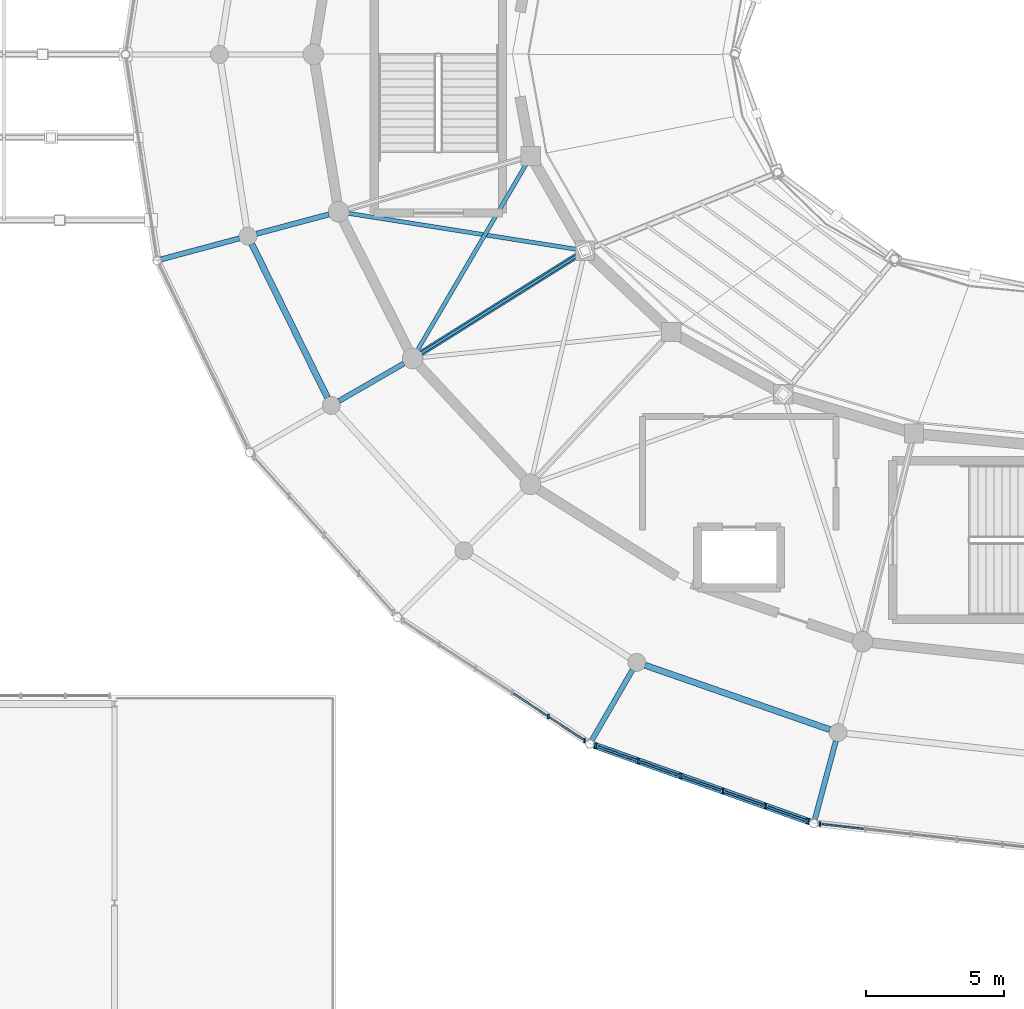
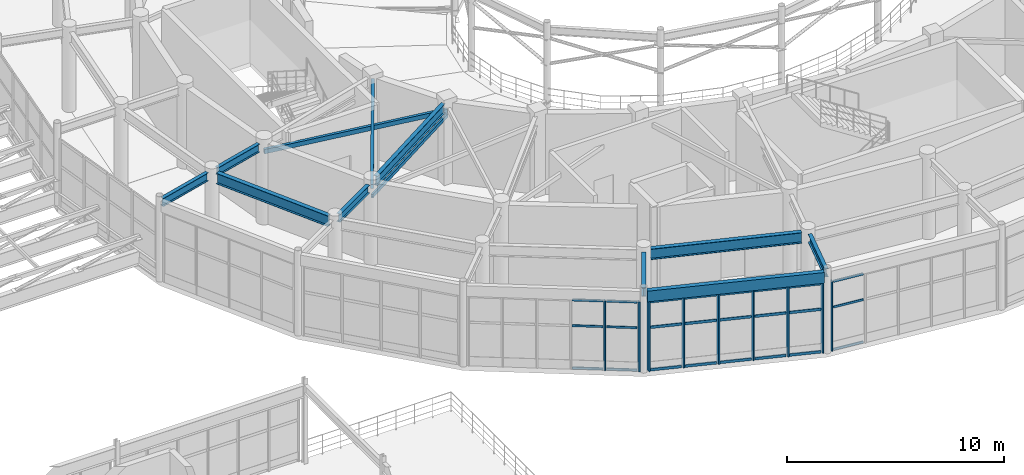
# One storey, part 35 of 144: 36 members, 9 beams, 3 elements without a shape of their own.
"""IFC4 building model written with IfcOpenShell, lengths in metres."""

import ifcopenshell
import ifcopenshell.guid

model = None  # the IFC model being written
_history = None  # IfcOwnerHistory: only IFC2X3 demands one
_inside = {}  # id of a spatial element -> (the spatial element, [elements in it])
_under = {}  # id of a project, library or spatial element -> (it, [spatial elements below it])
_declared = {}  # id of a project -> (the project, [libraries it declares])
_typed = {}  # id of a type object -> (the type object, [elements of that type])
_made_of = {}  # id of a material, layer set ... -> (it, [elements and type objects made of it])


def new_model(schema):
    """Start an empty IFC model of exactly this schema.

    Asked for "IFC4X3", IfcOpenShell would pick the latest addendum, in which some entities
    have other attributes; the version numbers below select the first issue.
    IFC2X3 requires an IfcOwnerHistory on every rooted entity: one is made here for all.
    """
    global model, _history
    if schema == "IFC4X3":
        model = ifcopenshell.file(schema_version=(4, 3, 0, 0))
    else:
        model = ifcopenshell.file(schema=schema)
    _inside.clear()
    _under.clear()
    _declared.clear()
    _typed.clear()
    _made_of.clear()
    _history = None
    if model.schema == "IFC2X3":
        org = make("IfcOrganization", Name="unknown")
        user = make(
            "IfcPersonAndOrganization",
            ThePerson=make("IfcPerson", FamilyName="unknown"),
            TheOrganization=org,
        )
        app = make(
            "IfcApplication",
            ApplicationDeveloper=org,
            Version="unknown",
            ApplicationFullName="unknown",
            ApplicationIdentifier="unknown",
        )
        _history = make(
            "IfcOwnerHistory",
            OwningUser=user,
            OwningApplication=app,
            ChangeAction="ADDED",
            CreationDate=0,
        )
    return model


def make(cls, **values):
    """One entity of the class cls with the attributes given. An attribute that is None is left unset."""
    return model.create_entity(
        cls, **{name: value for name, value in values.items() if value is not None}
    )


def rooted(cls, **values):
    """An entity with a GlobalId (a new one), such as an element, a storey or a relation."""
    return make(cls, GlobalId=ifcopenshell.guid.new(), OwnerHistory=_history, **values)


def si_unit(unit_type, name, prefix=None):
    """IfcSIUnit, for example si_unit("LENGTHUNIT", "METRE", prefix="MILLI")."""
    return make("IfcSIUnit", UnitType=unit_type, Prefix=prefix, Name=name)


def assignment(units):
    """IfcUnitAssignment: the units of a project."""
    return None if units is None else make("IfcUnitAssignment", Units=units)


def point(xyz):
    """IfcCartesianPoint."""
    return None if xyz is None else make("IfcCartesianPoint", Coordinates=xyz)


def direction(xyz):
    """IfcDirection."""
    return None if xyz is None else make("IfcDirection", DirectionRatios=xyz)


def frame(location, z_axis=None, x_axis=None):
    """IfcAxis2Placement3D, a coordinate frame: its origin and axes. An axis left out is left unset."""
    return make(
        "IfcAxis2Placement3D",
        Location=point(location),
        Axis=direction(z_axis),
        RefDirection=direction(x_axis),
    )


def frame_2d(location, x_axis=None):
    """IfcAxis2Placement2D, a coordinate frame in the plane: its origin and x axis."""
    return make(
        "IfcAxis2Placement2D", Location=point(location), RefDirection=direction(x_axis)
    )


def origin():
    """The frame at (0, 0, 0) with its axes left unset."""
    return frame((0.0, 0.0, 0.0))


def origin_2d():
    """The frame at (0, 0) in the plane with its x axis left unset."""
    return frame_2d((0.0, 0.0))


def place(relative_to, where):
    """IfcLocalPlacement: puts the frame where relative to a parent placement (None: the world)."""
    return make(
        "IfcLocalPlacement", PlacementRelTo=relative_to, RelativePlacement=where
    )


def context(
    kind, dimensions, precision=None, world=None, true_north=None, identifier=None
):
    """IfcGeometricRepresentationContext, for example the 3D "Model" context."""
    return make(
        "IfcGeometricRepresentationContext",
        ContextIdentifier=identifier,
        ContextType=kind,
        CoordinateSpaceDimension=dimensions,
        Precision=precision,
        WorldCoordinateSystem=world,
        TrueNorth=true_north,
    )


def subcontext(parent, identifier, kind, view, scale=None):
    """IfcGeometricRepresentationSubContext, for example "Body" below "Model"."""
    return make(
        "IfcGeometricRepresentationSubContext",
        ContextIdentifier=identifier,
        ContextType=kind,
        ParentContext=parent,
        TargetScale=scale,
        TargetView=view,
    )


def project(units=None, contexts=None):
    """IfcProject with its units and contexts."""
    return rooted(
        "IfcProject",
        Name="project",
        RepresentationContexts=contexts,
        UnitsInContext=assignment(units),
    )


def spatial(cls, under=None, at=None, **own):
    """A site, building, storey or space (cls), placed at a placement, below another one or the project."""
    s = rooted(cls, ObjectPlacement=at, **own)
    if under is not None:
        _under.setdefault(under.id(), (under, []))[1].append(s)
    return s


def profile(cls, at=None, kind="AREA", **sizes):
    """A parametric profile (cls). Its sizes go by their IFC names, for example OverallWidth=200.0."""
    return make(cls, ProfileType=kind, Position=at, **sizes)


def rectangle(**sizes):
    """IfcRectangleProfileDef."""
    return profile("IfcRectangleProfileDef", **sizes)


def hollow_rectangle(**sizes):
    """IfcRectangleHollowProfileDef."""
    return profile("IfcRectangleHollowProfileDef", **sizes)


def i_section(**sizes):
    """IfcIShapeProfileDef."""
    return profile("IfcIShapeProfileDef", **sizes)


def extrude(swept, where, along, depth):
    """IfcExtrudedAreaSolid: the profile swept, set in the frame where, extruded along a direction by depth."""
    return make(
        "IfcExtrudedAreaSolid",
        SweptArea=swept,
        Position=where,
        ExtrudedDirection=direction(along),
        Depth=depth,
    )


def shape(context_of_items, identifier, shape_type, items):
    """IfcShapeRepresentation: the items that make up one representation, for example the "Body"."""
    return make(
        "IfcShapeRepresentation",
        ContextOfItems=context_of_items,
        RepresentationIdentifier=identifier,
        RepresentationType=shape_type,
        Items=items,
    )


def material(Name=None, Category=None):
    """IfcMaterial."""
    return make("IfcMaterial", Name=Name, Category=Category)


def material_profile(
    of_material, cross_section, Name=None, Category=None, Priority=None
):
    """IfcMaterialProfile: a cross section and its material."""
    return make(
        "IfcMaterialProfile",
        Name=Name,
        Material=of_material,
        Profile=cross_section,
        Priority=Priority,
        Category=Category,
    )


def profile_set(profiles, Name=None, composite=None):
    """IfcMaterialProfileSet."""
    return make(
        "IfcMaterialProfileSet",
        Name=Name,
        MaterialProfiles=profiles,
        CompositeProfile=composite,
    )


def made_of(thing, what):
    """Note that an element or type object is made of a material, layer set ...; save() writes the relation."""
    if what is not None:
        _made_of.setdefault(what.id(), (what, []))[1].append(thing)
    return thing


def type_object(cls, material=None, **own):
    """A type object (cls), such as IfcWallType, which elements share."""
    return made_of(rooted(cls, **own), material)


def element(
    cls,
    number,
    at=None,
    inside=None,
    cuts=None,
    type_object=None,
    material=None,
    context=None,
    identifier="Body",
    shape_type=None,
    held_by="IfcProductDefinitionShape",
    body=None,
    shapes=None,
    **own,
):
    """One element of the class cls, such as IfcWall. Its Tag is "e" and its number.

    at: its placement. inside: the storey or other place that contains it. cuts: it is an
    opening in that element (IfcRelVoidsElement). A single representation is given by context,
    identifier, shape_type and body (its items); several are given by shapes. held_by: the class
    of the entity that holds the representations. save() writes the other relations.
    """
    e = rooted(cls, Tag="e%d" % number, ObjectPlacement=at, **own)
    if body is not None:
        shapes = [shape(context, identifier, shape_type, body)]
    if shapes is not None:
        e.Representation = make(held_by, Representations=shapes)
    if inside is not None:
        _inside.setdefault(inside.id(), (inside, []))[1].append(e)
    if cuts is not None:
        rooted(
            "IfcRelVoidsElement", RelatingBuildingElement=cuts, RelatedOpeningElement=e
        )
    if type_object is not None:
        _typed.setdefault(type_object.id(), (type_object, []))[1].append(e)
    return made_of(e, material)


def aggregate(whole, parts):
    """IfcRelAggregates: a whole, such as a stair, and the parts it consists of."""
    return rooted("IfcRelAggregates", RelatingObject=whole, RelatedObjects=parts)


def save(model, path):
    """Write the relations noted so far, then the file.

    IfcRelAggregates (storeys below a building ...), IfcRelContainedInSpatialStructure (elements
    in a storey), IfcRelDefinesByType, IfcRelAssociatesMaterial and IfcRelDeclares: one each for
    every whole, place, type object, material and project.
    """
    for whole, parts in _under.values():
        aggregate(whole, parts)
    for where, things in _inside.values():
        rooted(
            "IfcRelContainedInSpatialStructure",
            RelatedElements=things,
            RelatingStructure=where,
        )
    for kind, things in _typed.values():
        rooted("IfcRelDefinesByType", RelatedObjects=things, RelatingType=kind)
    for what, things in _made_of.values():
        rooted("IfcRelAssociatesMaterial", RelatedObjects=things, RelatingMaterial=what)
    for by, libraries in _declared.values():
        rooted("IfcRelDeclares", RelatingContext=by, RelatedDefinitions=libraries)
    model.write(path)


model = new_model("IFC4")

# Units and contexts
model_context = context("Model", 3, precision=1e-05, world=origin(), true_north=direction((0.0, 1.0)))
body_context = subcontext(model_context, "Body", "Model", "MODEL_VIEW")
ifc_project = project(units=[si_unit("LENGTHUNIT", "METRE"), si_unit("AREAUNIT", "SQUARE_METRE"), si_unit("VOLUMEUNIT", "CUBIC_METRE"), si_unit("PLANEANGLEUNIT", "RADIAN"), si_unit("MASSUNIT", "GRAM", prefix="KILO")], contexts=[model_context])

# Site, building, storey
site_placement = place(None, origin())
site = spatial("IfcSite", under=ifc_project, at=site_placement, CompositionType="ELEMENT")
building_placement = place(site_placement, origin())
building = spatial("IfcBuilding", under=site, at=building_placement, Name="Cinderbank Siding Concert Hall", CompositionType="ELEMENT")
storey_placement = place(building_placement, frame((0.0, 0.0, 5.39990234375)))
storey = spatial("IfcBuildingStorey", under=building, at=storey_placement, Name="L02", CompositionType="ELEMENT", Elevation=5.39990234375)

# Beams
ifc_material_1 = material(Name="Structural steel AS/NZS 3679.1 Grade 350 (340 MPa)", Category="steel")
ifc_material_profile_1 = material_profile(ifc_material_1, i_section(OverallWidth=0.19091796875, OverallDepth=0.46044921875, WebThickness=0.010009765625, FlangeThickness=0.01611328125, at=origin_2d()), Name="460UB82.1", Category="LoadBearing")
ifc_profile_set_1 = profile_set([ifc_material_profile_1], Name="Structural steel AS/NZS 3679.1 Grade 350 (340 MPa)")
beam_type_1 = type_object("IfcBeamType", Name="BM-UB460H 460UB82.1", PredefinedType="BEAM", material=ifc_profile_set_1)
beam_1_placement = place(storey_placement, frame((95.7587890625, 38.2109375, 4.2919921875), z_axis=(-0.965934410535, -0.258787006135, 0.0), x_axis=(0.258787006135, -0.965934410535, 0.0)))
element("IfcBeam", 1, at=beam_1_placement, inside=storey, type_object=beam_type_1, Name="L02 Beam BM-UB460H #510", PredefinedType="BEAM", context=body_context, shape_type="SweptSolid", body=[
    extrude(i_section(OverallWidth=0.19091796875, OverallDepth=0.46044921875, WebThickness=0.010009765625, FlangeThickness=0.01611328125, at=origin_2d()), origin(), (0.0, 0.0, 1.0), 2.716064453125),
])
beam_2_placement = place(storey_placement, frame((98.47265625, 32.81640625, 4.2919921875), z_axis=(-0.866032896488, -0.499987022033, 0.0), x_axis=(0.499987022033, -0.866032896488, 0.0)))
element("IfcBeam", 2, at=beam_2_placement, inside=storey, type_object=beam_type_1, Name="L02 Beam BM-UB460H #511", PredefinedType="BEAM", context=body_context, shape_type="SweptSolid", body=[
    extrude(i_section(OverallWidth=0.19091796875, OverallDepth=0.46044921875, WebThickness=0.010009765625, FlangeThickness=0.01611328125, at=origin_2d()), origin(), (0.0, 0.0, 1.0), 2.7158203125),
])
for number, where, z_axis, x_axis, name in (
    (3, (92.522705078125, 37.343994140625, 4.331787109375), (-0.965904885504, -0.258897184534, 0.0), (0.258897184534, -0.965904885504, 0.0), "L02 Beam BM-UB460H #534"),
    (4, (106.741455078125, 21.728515625, 4.331787109375), (-0.499958157915, -0.866049559976, 0.0), (0.866049559976, -0.499958157915, 0.0), "L02 Beam BM-UB460H #537"),
    (5, (114.101806640625, 19.1591796875, 4.331787109375), (-0.258897184534, -0.965904885504, 0.0), (0.965904885504, -0.258897184534, 0.0), "L02 Beam BM-UB460H #538"),
):
    element("IfcBeam", number, at=place(storey_placement, frame(where, z_axis=z_axis, x_axis=x_axis)), inside=storey, type_object=beam_type_1, Name=name, PredefinedType="BEAM", context=body_context, shape_type="SweptSolid", body=[
        extrude(i_section(OverallWidth=0.19091796875, OverallDepth=0.46044921875, WebThickness=0.010009765625, FlangeThickness=0.01611328125, at=origin_2d()), origin(), (0.0, 0.0, 1.0), 2.928955078125),
    ])
ifc_material_profile_2 = material_profile(ifc_material_1, i_section(OverallWidth=0.208984375, OverallDepth=0.532958984375, WebThickness=0.01025390625, FlangeThickness=0.015625, at=origin_2d()), Name="530UB92.4", Category="LoadBearing")
ifc_profile_set_2 = profile_set([ifc_material_profile_2], Name="Structural steel AS/NZS 3679.1 Grade 350 (340 MPa)")
beam_type_2 = type_object("IfcBeamType", Name="BM-UB530H 530UB92.4", PredefinedType="BEAM", material=ifc_profile_set_2)
beam_3_placement = place(storey_placement, frame((104.73583984375, 36.718505859375, 4.28564453125), z_axis=(-0.84781868984, -0.530286214376, 0.0), x_axis=(0.530286214376, -0.84781868984, 0.0)))
element("IfcBeam", 6, at=beam_3_placement, inside=storey, type_object=beam_type_2, Name="L02 Beam BM-UB530H #491", PredefinedType="BEAM", context=body_context, shape_type="SweptSolid", body=[
    extrude(i_section(OverallWidth=0.208984375, OverallDepth=0.532958984375, WebThickness=0.01025390625, FlangeThickness=0.015625, at=origin_2d()), origin(), (0.0, 0.0, 1.0), 6.645263671875),
])
ifc_material_profile_3 = material_profile(ifc_material_1, i_section(OverallWidth=0.22802734375, OverallDepth=0.60693359375, WebThickness=0.01123046875, FlangeThickness=0.017333984375, at=origin_2d()), Name="610UB113", Category="LoadBearing")
ifc_profile_set_3 = profile_set([ifc_material_profile_3], Name="Structural steel AS/NZS 3679.1 Grade 350 (340 MPa)")
beam_type_3 = type_object("IfcBeamType", Name="BM-UB610M 610UB113", PredefinedType="BEAM", material=ifc_profile_set_3)
beam_4_placement = place(storey_placement, frame((92.968994140625, 37.1416015625, 4.218505859375), z_axis=(0.441813843649, -0.897106753714, 0.0), x_axis=(0.897106753714, 0.441813843649, 0.0)))
element("IfcBeam", 7, at=beam_4_placement, inside=storey, type_object=beam_type_3, Name="L02 Beam BM-UB610M #453", PredefinedType="BEAM", context=body_context, shape_type="SweptSolid", body=[
    extrude(i_section(OverallWidth=0.22802734375, OverallDepth=0.60693359375, WebThickness=0.01123046875, FlangeThickness=0.017333984375, at=origin_2d()), origin(), (0.0, 0.0, 1.0), 6.194580078125),
])
beam_5_placement = place(storey_placement, frame((107.199462890625, 21.898681640625, 4.218505859375), z_axis=(0.944334299593, -0.328987432301, 0.0), x_axis=(0.328987432301, 0.944334299593, 0.0)))
element("IfcBeam", 8, at=beam_5_placement, inside=storey, type_object=beam_type_3, Name="L02 Beam BM-UB610M #456", PredefinedType="BEAM", context=body_context, shape_type="SweptSolid", body=[
    extrude(i_section(OverallWidth=0.22802734375, OverallDepth=0.60693359375, WebThickness=0.01123046875, FlangeThickness=0.017333984375, at=origin_2d()), origin(), (0.0, 0.0, 1.0), 7.078857421875),
])

# Curtain wall, members
ifc_material_2 = material(Name="Anodised aluminium alloy 6063-T6", Category="aluminium")
curtain_wall_type_1 = type_object("IfcCurtainWallType", Name="CW-04 Unitised Acoustic Curtain Wall 7000x4400", PredefinedType="NOTDEFINED", material=ifc_material_2)
curtain_wall_1_placement = place(storey_placement, origin())
curtain_wall_1 = element("IfcCurtainWall", 9, at=curtain_wall_1_placement, inside=storey, type_object=curtain_wall_type_1, Name="L02 Curtain Wall CW-04 #16", PredefinedType="NOTDEFINED")
ifc_material_profile_4 = material_profile(ifc_material_2, rectangle(XDim=0.06005859375, YDim=0.159912109375, at=origin_2d()), Name="ALU-MULL-60x160", Category="LoadBearing")
ifc_profile_set_4 = profile_set([ifc_material_profile_4], Name="Anodised aluminium alloy 6063-T6")
member_type_1 = type_object("IfcMemberType", Name="CW-ML1 Mullion 60x160", PredefinedType="MULLION", material=ifc_profile_set_4)
member_1_placement = place(storey_placement, frame((103.694580078125, 20.048583984375, 0.0), z_axis=(0.0, 0.0, 1.0), x_axis=(1.0, 0.0, 0.0)))
member_1 = element("IfcMember", 10, at=member_1_placement, type_object=member_type_1, Name="CW-L02-016 Mullion 4", PredefinedType="MULLION", context=body_context, shape_type="SweptSolid", body=[
    extrude(rectangle(XDim=0.06005859375, YDim=0.159912109375, at=origin_2d()), origin(), (0.0, 0.0, 1.0), 3.947021484375),
])
member_2_placement = place(storey_placement, frame((105.010498046875, 19.18310546875, 0.0), z_axis=(0.0, 0.0, 1.0), x_axis=(1.0, 0.0, 0.0)))
member_2 = element("IfcMember", 11, at=member_2_placement, type_object=member_type_1, Name="CW-L02-016 Mullion 5", PredefinedType="MULLION", context=body_context, shape_type="SweptSolid", body=[
    extrude(rectangle(XDim=0.06005859375, YDim=0.159912109375, at=origin_2d()), origin(), (0.0, 0.0, 1.0), 3.947021484375),
])

# Curtain wall, member
curtain_wall_type_2 = type_object("IfcCurtainWallType", Name="CW-06 Unitised Acoustic Curtain Wall 7600x3800", PredefinedType="NOTDEFINED", material=ifc_material_2)
curtain_wall_2_placement = place(storey_placement, origin())
curtain_wall_2 = element("IfcCurtainWall", 12, at=curtain_wall_2_placement, inside=storey, type_object=curtain_wall_type_2, Name="L02 Curtain Wall CW-06 #18", PredefinedType="NOTDEFINED")
member_3_placement = place(storey_placement, frame((113.529296875, 16.156005859375, 0.0), z_axis=(0.0, 0.0, 1.0), x_axis=(1.0, 0.0, 0.0)))
member_3 = element("IfcMember", 13, at=member_3_placement, type_object=member_type_1, Name="CW-L02-018 Mullion 0", PredefinedType="MULLION", context=body_context, shape_type="SweptSolid", body=[
    extrude(rectangle(XDim=0.06005859375, YDim=0.159912109375, at=origin_2d()), origin(), (0.0, 0.0, 1.0), 3.947021484375),
])

# Curtain wall, members
curtain_wall_type_3 = type_object("IfcCurtainWallType", Name="CW-05 Unitised Acoustic Curtain Wall 8200x3800", PredefinedType="NOTDEFINED", material=ifc_material_2)
curtain_wall_3_placement = place(storey_placement, origin())
curtain_wall_3 = element("IfcCurtainWall", 14, at=curtain_wall_3_placement, inside=storey, type_object=curtain_wall_type_3, Name="L02 Curtain Wall CW-05 #17", PredefinedType="NOTDEFINED")
ifc_material_profile_5 = material_profile(ifc_material_2, rectangle(XDim=0.06494140625, YDim=0.199951171875, at=origin_2d()), Name="ALU-MULL-65x200", Category="LoadBearing")
ifc_profile_set_5 = profile_set([ifc_material_profile_5], Name="Anodised aluminium alloy 6063-T6")
member_type_2 = type_object("IfcMemberType", Name="CW-ML2 Mullion 65x200", PredefinedType="MULLION", material=ifc_profile_set_5)
member_4_placement = place(storey_placement, frame((105.413818359375, 18.982666015625, 0.0), z_axis=(0.0, 0.0, 1.0), x_axis=(1.0, 0.0, 0.0)))
member_4 = element("IfcMember", 15, at=member_4_placement, type_object=member_type_2, Name="CW-L02-017 Mullion 0", PredefinedType="MULLION", context=body_context, shape_type="SweptSolid", body=[
    extrude(rectangle(XDim=0.06494140625, YDim=0.199951171875, at=origin_2d()), origin(), (0.0, 0.0, 1.0), 3.947021484375),
])
member_5_placement = place(storey_placement, frame((106.94921875, 18.4375, 0.0), z_axis=(0.0, 0.0, 1.0), x_axis=(1.0, 0.0, 0.0)))
member_5 = element("IfcMember", 16, at=member_5_placement, type_object=member_type_2, Name="CW-L02-017 Mullion 1", PredefinedType="MULLION", context=body_context, shape_type="SweptSolid", body=[
    extrude(rectangle(XDim=0.06494140625, YDim=0.199951171875, at=origin_2d()), origin(), (0.0, 0.0, 1.0), 3.947021484375),
])
member_6_placement = place(storey_placement, frame((108.484375, 17.892333984375, 0.0), z_axis=(0.0, 0.0, 1.0), x_axis=(1.0, 0.0, 0.0)))
member_6 = element("IfcMember", 17, at=member_6_placement, type_object=member_type_2, Name="CW-L02-017 Mullion 2", PredefinedType="MULLION", context=body_context, shape_type="SweptSolid", body=[
    extrude(rectangle(XDim=0.06494140625, YDim=0.199951171875, at=origin_2d()), origin(), (0.0, 0.0, 1.0), 3.947021484375),
])
member_7_placement = place(storey_placement, frame((110.019287109375, 17.347412109375, 0.0), z_axis=(0.0, 0.0, 1.0), x_axis=(1.0, 0.0, 0.0)))
member_7 = element("IfcMember", 18, at=member_7_placement, type_object=member_type_2, Name="CW-L02-017 Mullion 3", PredefinedType="MULLION", context=body_context, shape_type="SweptSolid", body=[
    extrude(rectangle(XDim=0.06494140625, YDim=0.199951171875, at=origin_2d()), origin(), (0.0, 0.0, 1.0), 3.947021484375),
])
member_8_placement = place(storey_placement, frame((111.5546875, 16.80224609375, 0.0), z_axis=(0.0, 0.0, 1.0), x_axis=(1.0, 0.0, 0.0)))
member_8 = element("IfcMember", 19, at=member_8_placement, type_object=member_type_2, Name="CW-L02-017 Mullion 4", PredefinedType="MULLION", context=body_context, shape_type="SweptSolid", body=[
    extrude(rectangle(XDim=0.06494140625, YDim=0.199951171875, at=origin_2d()), origin(), (0.0, 0.0, 1.0), 3.947021484375),
])
member_9_placement = place(storey_placement, frame((113.08984375, 16.257080078125, 0.0), z_axis=(0.0, 0.0, 1.0), x_axis=(1.0, 0.0, 0.0)))
member_9 = element("IfcMember", 20, at=member_9_placement, type_object=member_type_2, Name="CW-L02-017 Mullion 5", PredefinedType="MULLION", context=body_context, shape_type="SweptSolid", body=[
    extrude(rectangle(XDim=0.06494140625, YDim=0.199951171875, at=origin_2d()), origin(), (0.0, 0.0, 1.0), 3.947021484375),
])

# Member
ifc_material_profile_6 = material_profile(ifc_material_2, rectangle(XDim=0.06005859375, YDim=0.1201171875, at=origin_2d()), Name="ALU-TRAN-60x120", Category="LoadBearing")
ifc_profile_set_6 = profile_set([ifc_material_profile_6], Name="Anodised aluminium alloy 6063-T6")
member_type_3 = type_object("IfcMemberType", Name="CW-TR1 Transom 60x120", PredefinedType="USERDEFINED", material=ifc_profile_set_6)
member_10_placement = place(storey_placement, frame((102.4443359375, 20.870849609375, 0.06005859375), z_axis=(0.835531529407, -0.549442502331, 0.0), x_axis=(0.549442502331, 0.835531529407, 0.0)))
member_10 = element("IfcMember", 21, at=member_10_placement, type_object=member_type_3, Name="CW-L02-016 Transom 3-0", ObjectType="TRANSOM", PredefinedType="USERDEFINED", context=body_context, shape_type="SweptSolid", body=[
    extrude(rectangle(XDim=0.06005859375, YDim=0.1201171875, at=origin_2d()), origin(), (0.0, 0.0, 1.0), 1.41748046875),
])

member_11_placement = place(storey_placement, frame((102.4443359375, 20.870849609375, 2.447265625), z_axis=(0.835531529407, -0.549442502331, 0.0), x_axis=(0.549442502331, 0.835531529407, 0.0)))
member_11 = element("IfcMember", 22, at=member_11_placement, type_object=member_type_3, Name="CW-L02-016 Transom 3-1", ObjectType="TRANSOM", PredefinedType="USERDEFINED", context=body_context, shape_type="SweptSolid", body=[
    extrude(rectangle(XDim=0.06005859375, YDim=0.1201171875, at=origin_2d()), origin(), (0.0, 0.0, 1.0), 1.41748046875),
])

member_12_placement = place(storey_placement, frame((102.4443359375, 20.870849609375, 3.88720703125), z_axis=(0.835531529407, -0.549442502331, 0.0), x_axis=(0.549442502331, 0.835531529407, 0.0)))
member_12 = element("IfcMember", 23, at=member_12_placement, type_object=member_type_3, Name="CW-L02-016 Transom 3-2", ObjectType="TRANSOM", PredefinedType="USERDEFINED", context=body_context, shape_type="SweptSolid", body=[
    extrude(rectangle(XDim=0.06005859375, YDim=0.1201171875, at=origin_2d()), origin(), (0.0, 0.0, 1.0), 1.41748046875),
])

member_13_placement = place(storey_placement, frame((103.76025390625, 20.00537109375, 0.06005859375), z_axis=(0.835531529407, -0.549442502331, 0.0), x_axis=(0.549442502331, 0.835531529407, 0.0)))
member_13 = element("IfcMember", 24, at=member_13_placement, type_object=member_type_3, Name="CW-L02-016 Transom 4-0", ObjectType="TRANSOM", PredefinedType="USERDEFINED", context=body_context, shape_type="SweptSolid", body=[
    extrude(rectangle(XDim=0.06005859375, YDim=0.1201171875, at=origin_2d()), origin(), (0.0, 0.0, 1.0), 1.41748046875),
])

member_14_placement = place(storey_placement, frame((103.76025390625, 20.00537109375, 2.447265625), z_axis=(0.835531529407, -0.549442502331, 0.0), x_axis=(0.549442502331, 0.835531529407, 0.0)))
member_14 = element("IfcMember", 25, at=member_14_placement, type_object=member_type_3, Name="CW-L02-016 Transom 4-1", ObjectType="TRANSOM", PredefinedType="USERDEFINED", context=body_context, shape_type="SweptSolid", body=[
    extrude(rectangle(XDim=0.06005859375, YDim=0.1201171875, at=origin_2d()), origin(), (0.0, 0.0, 1.0), 1.41748046875),
])

member_15_placement = place(storey_placement, frame((103.76025390625, 20.00537109375, 3.88720703125), z_axis=(0.835531529407, -0.549442502331, 0.0), x_axis=(0.549442502331, 0.835531529407, 0.0)))
member_15 = element("IfcMember", 26, at=member_15_placement, type_object=member_type_3, Name="CW-L02-016 Transom 4-2", ObjectType="TRANSOM", PredefinedType="USERDEFINED", context=body_context, shape_type="SweptSolid", body=[
    extrude(rectangle(XDim=0.06005859375, YDim=0.1201171875, at=origin_2d()), origin(), (0.0, 0.0, 1.0), 1.41748046875),
])

aggregate(curtain_wall_1, [member_1, member_2, member_10, member_11, member_12, member_13, member_14, member_15])

member_16_placement = place(storey_placement, frame((113.61181640625, 16.146484375, 0.06005859375), z_axis=(0.993690839164, -0.112153984151, 0.0), x_axis=(0.112153984151, 0.993690839164, 0.0)))
member_16 = element("IfcMember", 27, at=member_16_placement, type_object=member_type_3, Name="CW-L02-018 Transom 0-0", ObjectType="TRANSOM", PredefinedType="USERDEFINED", context=body_context, shape_type="SweptSolid", body=[
    extrude(rectangle(XDim=0.06005859375, YDim=0.1201171875, at=origin_2d()), origin(), (0.0, 0.0, 1.0), 1.493408203125),
])

member_17_placement = place(storey_placement, frame((113.61181640625, 16.146484375, 2.447265625), z_axis=(0.993690839164, -0.112153984151, 0.0), x_axis=(0.112153984151, 0.993690839164, 0.0)))
member_17 = element("IfcMember", 28, at=member_17_placement, type_object=member_type_3, Name="CW-L02-018 Transom 0-1", ObjectType="TRANSOM", PredefinedType="USERDEFINED", context=body_context, shape_type="SweptSolid", body=[
    extrude(rectangle(XDim=0.06005859375, YDim=0.1201171875, at=origin_2d()), origin(), (0.0, 0.0, 1.0), 1.493408203125),
])

member_18_placement = place(storey_placement, frame((113.61181640625, 16.146484375, 3.88720703125), z_axis=(0.993690839164, -0.112153984151, 0.0), x_axis=(0.112153984151, 0.993690839164, 0.0)))
member_18 = element("IfcMember", 29, at=member_18_placement, type_object=member_type_3, Name="CW-L02-018 Transom 0-2", ObjectType="TRANSOM", PredefinedType="USERDEFINED", context=body_context, shape_type="SweptSolid", body=[
    extrude(rectangle(XDim=0.06005859375, YDim=0.1201171875, at=origin_2d()), origin(), (0.0, 0.0, 1.0), 1.493408203125),
])

aggregate(curtain_wall_2, [member_3, member_16, member_17, member_18])

ifc_material_profile_7 = material_profile(ifc_material_2, rectangle(XDim=0.06494140625, YDim=0.14990234375, at=origin_2d()), Name="ALU-TRAN-65x150", Category="LoadBearing")
ifc_profile_set_7 = profile_set([ifc_material_profile_7], Name="Anodised aluminium alloy 6063-T6")
member_type_4 = type_object("IfcMemberType", Name="CW-TR2 Transom 65x150", PredefinedType="USERDEFINED", material=ifc_profile_set_7)
member_19_placement = place(storey_placement, frame((105.490478515625, 18.955322265625, 0.06005859375), z_axis=(0.942395579657, -0.334500480482, 0.0), x_axis=(0.334500480482, 0.942395579657, 0.0)))
member_19 = element("IfcMember", 30, at=member_19_placement, type_object=member_type_4, Name="CW-L02-017 Transom 0-0", ObjectType="TRANSOM", PredefinedType="USERDEFINED", context=body_context, shape_type="SweptSolid", body=[
    extrude(rectangle(XDim=0.06494140625, YDim=0.14990234375, at=origin_2d()), origin(), (0.0, 0.0, 1.0), 1.46630859375),
])

member_20_placement = place(storey_placement, frame((105.490478515625, 18.955322265625, 2.447265625), z_axis=(0.942395579657, -0.334500480482, 0.0), x_axis=(0.334500480482, 0.942395579657, 0.0)))
member_20 = element("IfcMember", 31, at=member_20_placement, type_object=member_type_4, Name="CW-L02-017 Transom 0-1", ObjectType="TRANSOM", PredefinedType="USERDEFINED", context=body_context, shape_type="SweptSolid", body=[
    extrude(rectangle(XDim=0.06494140625, YDim=0.14990234375, at=origin_2d()), origin(), (0.0, 0.0, 1.0), 1.46630859375),
])

member_21_placement = place(storey_placement, frame((105.490478515625, 18.955322265625, 3.88720703125), z_axis=(0.942395579657, -0.334500480482, 0.0), x_axis=(0.334500480482, 0.942395579657, 0.0)))
member_21 = element("IfcMember", 32, at=member_21_placement, type_object=member_type_4, Name="CW-L02-017 Transom 0-2", ObjectType="TRANSOM", PredefinedType="USERDEFINED", context=body_context, shape_type="SweptSolid", body=[
    extrude(rectangle(XDim=0.06494140625, YDim=0.14990234375, at=origin_2d()), origin(), (0.0, 0.0, 1.0), 1.46630859375),
])

member_22_placement = place(storey_placement, frame((107.02587890625, 18.41015625, 0.06005859375), z_axis=(0.942376945381, -0.334552974602, 0.0), x_axis=(0.334552974602, 0.942376945381, 0.0)))
member_22 = element("IfcMember", 33, at=member_22_placement, type_object=member_type_4, Name="CW-L02-017 Transom 1-0", ObjectType="TRANSOM", PredefinedType="USERDEFINED", context=body_context, shape_type="SweptSolid", body=[
    extrude(rectangle(XDim=0.06494140625, YDim=0.14990234375, at=origin_2d()), origin(), (0.0, 0.0, 1.0), 1.466064453125),
])

member_23_placement = place(storey_placement, frame((107.02587890625, 18.41015625, 2.447265625), z_axis=(0.942376945381, -0.334552974602, 0.0), x_axis=(0.334552974602, 0.942376945381, 0.0)))
member_23 = element("IfcMember", 34, at=member_23_placement, type_object=member_type_4, Name="CW-L02-017 Transom 1-1", ObjectType="TRANSOM", PredefinedType="USERDEFINED", context=body_context, shape_type="SweptSolid", body=[
    extrude(rectangle(XDim=0.06494140625, YDim=0.14990234375, at=origin_2d()), origin(), (0.0, 0.0, 1.0), 1.466064453125),
])

member_24_placement = place(storey_placement, frame((107.02587890625, 18.41015625, 3.88720703125), z_axis=(0.942376945381, -0.334552974602, 0.0), x_axis=(0.334552974602, 0.942376945381, 0.0)))
member_24 = element("IfcMember", 35, at=member_24_placement, type_object=member_type_4, Name="CW-L02-017 Transom 1-2", ObjectType="TRANSOM", PredefinedType="USERDEFINED", context=body_context, shape_type="SweptSolid", body=[
    extrude(rectangle(XDim=0.06494140625, YDim=0.14990234375, at=origin_2d()), origin(), (0.0, 0.0, 1.0), 1.466064453125),
])

member_25_placement = place(storey_placement, frame((108.56103515625, 17.865234375, 0.06005859375), z_axis=(0.942324434865, -0.334700850694, 0.0), x_axis=(0.334700850694, 0.942324434865, 0.0)))
member_25 = element("IfcMember", 36, at=member_25_placement, type_object=member_type_4, Name="CW-L02-017 Transom 2-0", ObjectType="TRANSOM", PredefinedType="USERDEFINED", context=body_context, shape_type="SweptSolid", body=[
    extrude(rectangle(XDim=0.06494140625, YDim=0.14990234375, at=origin_2d()), origin(), (0.0, 0.0, 1.0), 1.466064453125),
])

member_26_placement = place(storey_placement, frame((108.56103515625, 17.865234375, 2.447265625), z_axis=(0.942324434865, -0.334700850694, 0.0), x_axis=(0.334700850694, 0.942324434865, 0.0)))
member_26 = element("IfcMember", 37, at=member_26_placement, type_object=member_type_4, Name="CW-L02-017 Transom 2-1", ObjectType="TRANSOM", PredefinedType="USERDEFINED", context=body_context, shape_type="SweptSolid", body=[
    extrude(rectangle(XDim=0.06494140625, YDim=0.14990234375, at=origin_2d()), origin(), (0.0, 0.0, 1.0), 1.466064453125),
])

member_27_placement = place(storey_placement, frame((108.56103515625, 17.865234375, 3.88720703125), z_axis=(0.942324434865, -0.334700850694, 0.0), x_axis=(0.334700850694, 0.942324434865, 0.0)))
member_27 = element("IfcMember", 38, at=member_27_placement, type_object=member_type_4, Name="CW-L02-017 Transom 2-2", ObjectType="TRANSOM", PredefinedType="USERDEFINED", context=body_context, shape_type="SweptSolid", body=[
    extrude(rectangle(XDim=0.06494140625, YDim=0.14990234375, at=origin_2d()), origin(), (0.0, 0.0, 1.0), 1.466064453125),
])

member_28_placement = place(storey_placement, frame((110.09619140625, 17.320068359375, 0.06005859375), z_axis=(0.942376945381, -0.334552974602, 0.0), x_axis=(0.334552974602, 0.942376945381, 0.0)))
member_28 = element("IfcMember", 39, at=member_28_placement, type_object=member_type_4, Name="CW-L02-017 Transom 3-0", ObjectType="TRANSOM", PredefinedType="USERDEFINED", context=body_context, shape_type="SweptSolid", body=[
    extrude(rectangle(XDim=0.06494140625, YDim=0.14990234375, at=origin_2d()), origin(), (0.0, 0.0, 1.0), 1.466064453125),
])

member_29_placement = place(storey_placement, frame((110.09619140625, 17.320068359375, 2.447265625), z_axis=(0.942376945381, -0.334552974602, 0.0), x_axis=(0.334552974602, 0.942376945381, 0.0)))
member_29 = element("IfcMember", 40, at=member_29_placement, type_object=member_type_4, Name="CW-L02-017 Transom 3-1", ObjectType="TRANSOM", PredefinedType="USERDEFINED", context=body_context, shape_type="SweptSolid", body=[
    extrude(rectangle(XDim=0.06494140625, YDim=0.14990234375, at=origin_2d()), origin(), (0.0, 0.0, 1.0), 1.466064453125),
])

member_30_placement = place(storey_placement, frame((110.09619140625, 17.320068359375, 3.88720703125), z_axis=(0.942376945381, -0.334552974602, 0.0), x_axis=(0.334552974602, 0.942376945381, 0.0)))
member_30 = element("IfcMember", 41, at=member_30_placement, type_object=member_type_4, Name="CW-L02-017 Transom 3-2", ObjectType="TRANSOM", PredefinedType="USERDEFINED", context=body_context, shape_type="SweptSolid", body=[
    extrude(rectangle(XDim=0.06494140625, YDim=0.14990234375, at=origin_2d()), origin(), (0.0, 0.0, 1.0), 1.466064453125),
])

member_31_placement = place(storey_placement, frame((111.63134765625, 16.77490234375, 0.06005859375), z_axis=(0.942395579657, -0.334500480482, 0.0), x_axis=(0.334500480482, 0.942395579657, 0.0)))
member_31 = element("IfcMember", 42, at=member_31_placement, type_object=member_type_4, Name="CW-L02-017 Transom 4-0", ObjectType="TRANSOM", PredefinedType="USERDEFINED", context=body_context, shape_type="SweptSolid", body=[
    extrude(rectangle(XDim=0.06494140625, YDim=0.14990234375, at=origin_2d()), origin(), (0.0, 0.0, 1.0), 1.46630859375),
])

member_32_placement = place(storey_placement, frame((111.63134765625, 16.77490234375, 2.447265625), z_axis=(0.942395579657, -0.334500480482, 0.0), x_axis=(0.334500480482, 0.942395579657, 0.0)))
member_32 = element("IfcMember", 43, at=member_32_placement, type_object=member_type_4, Name="CW-L02-017 Transom 4-1", ObjectType="TRANSOM", PredefinedType="USERDEFINED", context=body_context, shape_type="SweptSolid", body=[
    extrude(rectangle(XDim=0.06494140625, YDim=0.14990234375, at=origin_2d()), origin(), (0.0, 0.0, 1.0), 1.46630859375),
])

member_33_placement = place(storey_placement, frame((111.63134765625, 16.77490234375, 3.88720703125), z_axis=(0.942395579657, -0.334500480482, 0.0), x_axis=(0.334500480482, 0.942395579657, 0.0)))
member_33 = element("IfcMember", 44, at=member_33_placement, type_object=member_type_4, Name="CW-L02-017 Transom 4-2", ObjectType="TRANSOM", PredefinedType="USERDEFINED", context=body_context, shape_type="SweptSolid", body=[
    extrude(rectangle(XDim=0.06494140625, YDim=0.14990234375, at=origin_2d()), origin(), (0.0, 0.0, 1.0), 1.46630859375),
])

aggregate(curtain_wall_3, [member_4, member_5, member_6, member_7, member_8, member_9, member_19, member_20, member_21, member_22, member_23, member_24, member_25, member_26, member_27, member_28, member_29, member_30, member_31, member_32, member_33])

ifc_material_3 = material(Name="Structural steel hollow section AS/NZS 1163 Grade C350L0 (350 MPa)", Category="steel")
ifc_material_profile_8 = material_profile(ifc_material_3, hollow_rectangle(XDim=0.10009765625, YDim=0.199951171875, WallThickness=0.008056640625, at=origin_2d()), Name="200x100x8.0RHS", Category="LoadBearing")
ifc_profile_set_8 = profile_set([ifc_material_profile_8], Name="Structural steel hollow section AS/NZS 1163 Grade C350L0 (350 MPa)")
member_type_5 = type_object("IfcMemberType", Name="PR-RHS200 200x100x8.0RHS Roof Truss", PredefinedType="PURLIN", material=ifc_profile_set_8)
member_34_placement = place(storey_placement, frame((105.02587890625, 36.89990234375, 3.64013671875), z_axis=(-0.847826684568, -0.530273432235, 0.0), x_axis=(0.530273432235, -0.847826684568, 0.0)))
element("IfcMember", 45, at=member_34_placement, inside=storey, type_object=member_type_5, Name="L02 Roof Truss Member PR-RHS200 #2226", PredefinedType="PURLIN", context=body_context, shape_type="SweptSolid", body=[
    extrude(hollow_rectangle(XDim=0.10009765625, YDim=0.199951171875, WallThickness=0.008056640625, at=origin_2d()), origin(), (0.0, 0.0, 1.0), 7.3544921875),
])

# Beam
ifc_material_4 = material(Name="Spotted gum glulam timber GL18 (42 MPa)", Category="wood")
ifc_material_profile_9 = material_profile(ifc_material_4, rectangle(XDim=0.239990234375, YDim=0.60009765625, at=origin_2d()), Name="GL18-240x600", Category="LoadBearing")
ifc_profile_set_9 = profile_set([ifc_material_profile_9], Name="Spotted gum glulam timber GL18 (42 MPa)")
beam_type_4 = type_object("IfcBeamType", Name="SP-GL600 GL18-240x600", PredefinedType="SPANDREL", material=ifc_profile_set_9)
beam_6_placement = place(storey_placement, frame((105.34521484375, 19.007080078125, 4.26220703125), z_axis=(0.942365164676, -0.334586156924, 0.0), x_axis=(0.334586156924, 0.942365164676, 0.0)))
element("IfcBeam", 46, at=beam_6_placement, inside=storey, type_object=beam_type_4, Name="L02 Beam SP-GL600 #478", PredefinedType="SPANDREL", context=body_context, shape_type="SweptSolid", body=[
    extrude(rectangle(XDim=0.239990234375, YDim=0.60009765625, at=origin_2d()), origin(), (0.0, 0.0, 1.0), 8.291259765625),
])

# Members
ifc_material_profile_10 = material_profile(ifc_material_3, hollow_rectangle(XDim=0.14990234375, YDim=0.25, WallThickness=0.009033203125, at=origin_2d()), Name="250x150x9.0RHS", Category="LoadBearing")
ifc_profile_set_10 = profile_set([ifc_material_profile_10], Name="Structural steel hollow section AS/NZS 1163 Grade C350L0 (350 MPa)")
member_type_6 = type_object("IfcMemberType", Name="TR-RHS250 250x150x9.0RHS Roof Truss", PredefinedType="RAFTER", material=ifc_profile_set_10)
member_35_placement = place(storey_placement, frame((103.06787109375, 40.32470703125, 4.18017578125), z_axis=(-0.50427542144, -0.863542876372, 0.0), x_axis=(0.863542876372, -0.50427542144, 0.0)))
element("IfcMember", 47, at=member_35_placement, inside=storey, type_object=member_type_6, Name="L02 Roof Truss Member TR-RHS250 #2221", PredefinedType="RAFTER", context=body_context, shape_type="SweptSolid", body=[
    extrude(hollow_rectangle(XDim=0.14990234375, YDim=0.25, WallThickness=0.009033203125, at=origin_2d()), origin(), (0.0, 0.0, 1.0), 8.482177734375),
])
member_36_placement = place(storey_placement, frame((105.02587890625, 36.89990234375, 3.900146484375), z_axis=(-0.987784236991, 0.155827793262, 0.0), x_axis=(-0.155827793262, -0.987784236991, 0.0)))
element("IfcMember", 48, at=member_36_placement, inside=storey, type_object=member_type_6, Name="L02 Roof Truss Member TR-RHS250 #2222", PredefinedType="RAFTER", context=body_context, shape_type="SweptSolid", body=[
    extrude(hollow_rectangle(XDim=0.14990234375, YDim=0.25, WallThickness=0.009033203125, at=origin_2d()), origin(), (0.0, 0.0, 1.0), 9.022705078125),
])

save(model, "model.ifc")
